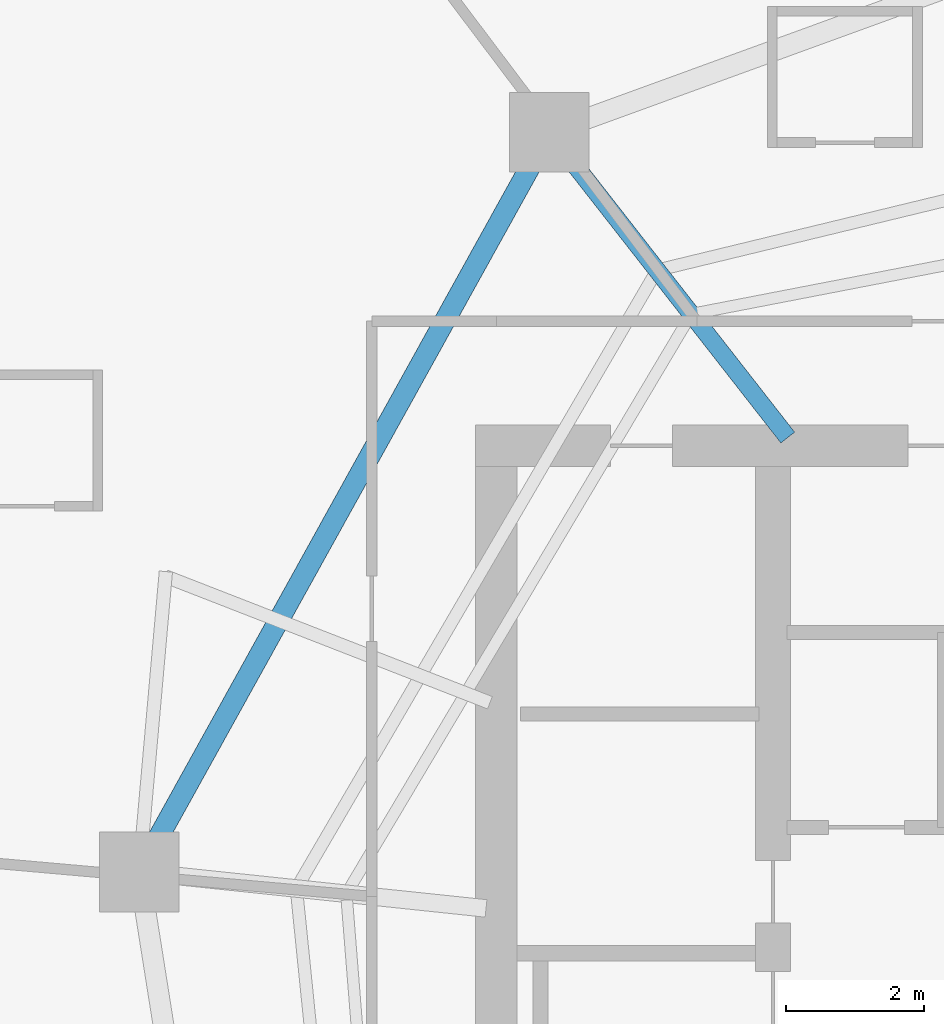
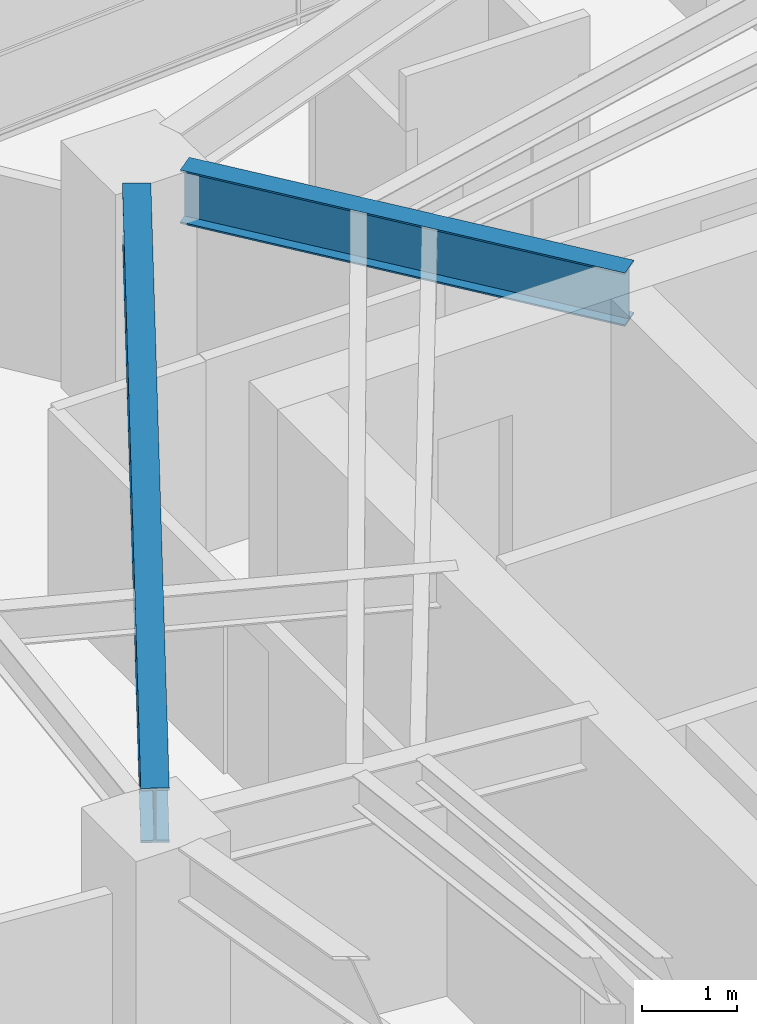
# One storey, part 16 of 30: 2 beams.
"""IFC4 building model written with IfcOpenShell, lengths in metres."""

from ifc_helpers import new_model, si_unit, direction, frame, origin, origin_2d, place, context, subcontext, project, spatial, i_section, extrude, material, material_profile, profile_set, type_object, element, save


model = new_model("IFC4")

# Units and contexts
model_context = context("Model", 3, precision=1e-05, world=origin(), true_north=direction((0.0, 1.0)))
body_context = subcontext(model_context, "Body", "Model", "MODEL_VIEW")
ifc_project = project(units=[si_unit("LENGTHUNIT", "METRE"), si_unit("AREAUNIT", "SQUARE_METRE"), si_unit("VOLUMEUNIT", "CUBIC_METRE"), si_unit("PLANEANGLEUNIT", "RADIAN"), si_unit("MASSUNIT", "GRAM", prefix="KILO")], contexts=[model_context])

# Site, building, storey
site_placement = place(None, origin())
site = spatial("IfcSite", under=ifc_project, at=site_placement, CompositionType="ELEMENT")
building_placement = place(site_placement, origin())
building = spatial("IfcBuilding", under=site, at=building_placement, Name="Qarnah Convention Tower", CompositionType="ELEMENT")
storey_placement = place(building_placement, frame((0.0, 0.0, 83.25)))
storey = spatial("IfcBuildingStorey", under=building, at=storey_placement, Name="L21", CompositionType="ELEMENT", Elevation=83.25)

# Beams
ifc_material = material(Name="Structural steel S355JR", Category="steel")
ifc_material_profile_1 = material_profile(ifc_material, i_section(OverallWidth=0.25390625, OverallDepth=0.68798828125, WebThickness=0.012939453125, FlangeThickness=0.02099609375, at=origin_2d()), Name="W690X152")
ifc_profile_set_1 = profile_set([ifc_material_profile_1], Name="Structural steel S355JR")
beam_type_1 = type_object("IfcBeamType", Name="BM-RAD-W690", PredefinedType="BEAM", material=ifc_profile_set_1)
beam_1_placement = place(storey_placement, frame((31.013916015625, 34.318115234375, 2.825927734375), z_axis=(-0.61565061353, 0.788019239651, 0.0), x_axis=(-0.788019239651, -0.61565061353, 0.0)))
element("IfcBeam", 1, at=beam_1_placement, inside=storey, type_object=beam_type_1, Name="L21 beam BM-L21-RAD-04", PredefinedType="BEAM", context=body_context, shape_type="SweptSolid", body=[
    extrude(i_section(OverallWidth=0.25390625, OverallDepth=0.68798828125, WebThickness=0.012939453125, FlangeThickness=0.02099609375, at=origin_2d()), origin(), (0.0, 0.0, 1.0), 5.046630859375),
])
ifc_material_profile_2 = material_profile(ifc_material, i_section(OverallWidth=0.300048828125, OverallDepth=0.699951171875, WebThickness=0.01708984375, FlangeThickness=0.031982421875, at=origin_2d()), Name="HEB700")
ifc_profile_set_2 = profile_set([ifc_material_profile_2], Name="Structural steel S355JR")
beam_type_2 = type_object("IfcBeamType", Name="BM-RING-HEB700", PredefinedType="BEAM", material=ifc_profile_set_2)
beam_2_placement = place(storey_placement, frame((27.291015625, 38.238037109375, 2.820068359375), z_axis=(-0.484800448222, -0.874624791212, 0.0), x_axis=(0.874624791212, -0.484800448222, 0.0)))
element("IfcBeam", 2, at=beam_2_placement, inside=storey, type_object=beam_type_2, Name="L21 beam BM-L21-SPN-04", PredefinedType="BEAM", context=body_context, shape_type="SweptSolid", body=[
    extrude(i_section(OverallWidth=0.300048828125, OverallDepth=0.699951171875, WebThickness=0.01708984375, FlangeThickness=0.031982421875, at=origin_2d()), origin(), (0.0, 0.0, 1.0), 11.099609375),
])

save(model, "model.ifc")
